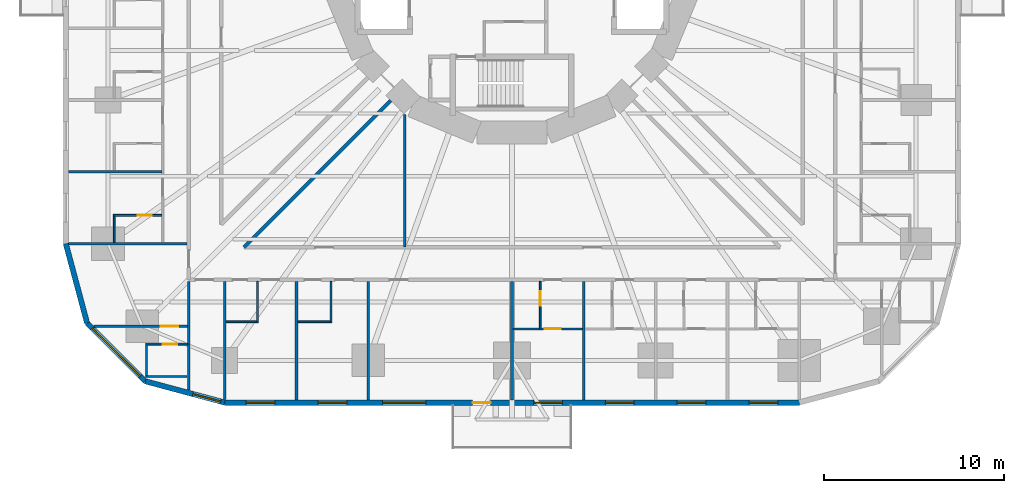
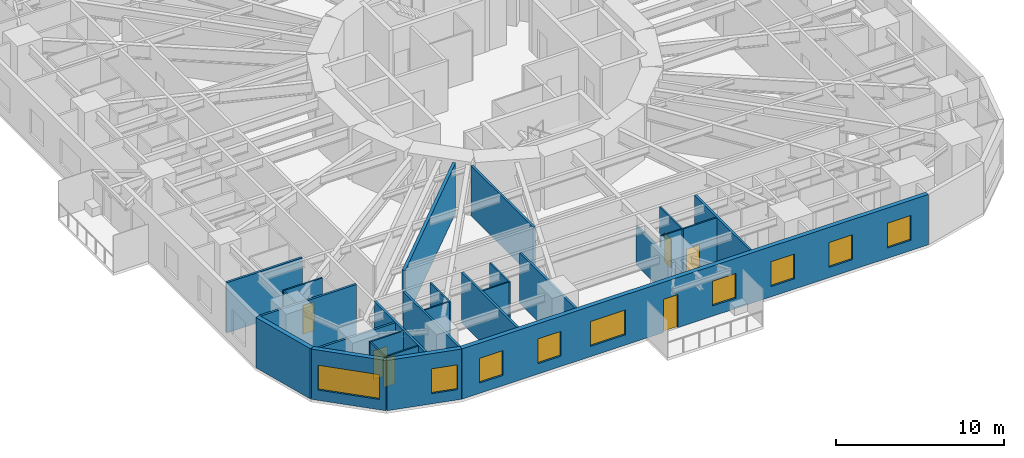
# One storey, part 4 of 14: 27 walls, 9 windows, 6 doors, 15 openings.
"""IFC4 building model written with IfcOpenShell, lengths in metres."""

from ifc_helpers import new_model, si_unit, direction, frame, frame_2d, origin, place, context, subcontext, project, spatial, rectangle, extrude, material, layer, layer_set, type_object, element, fill, save


model = new_model("IFC4")

# Units and contexts
model_context = context("Model", 3, precision=1e-05, world=origin(), true_north=direction((0.0, 1.0)))
body_context = subcontext(model_context, "Body", "Model", "MODEL_VIEW")
ifc_project = project(units=[si_unit("LENGTHUNIT", "METRE"), si_unit("AREAUNIT", "SQUARE_METRE"), si_unit("VOLUMEUNIT", "CUBIC_METRE"), si_unit("PLANEANGLEUNIT", "RADIAN"), si_unit("MASSUNIT", "GRAM", prefix="KILO")], contexts=[model_context])

# Site, building, storey
site_placement = place(None, origin())
site = spatial("IfcSite", under=ifc_project, at=site_placement, CompositionType="ELEMENT")
building_placement = place(site_placement, origin())
building = spatial("IfcBuilding", under=site, at=building_placement, Name="Nakasero Lantern House", CompositionType="ELEMENT")
storey_placement = place(building_placement, frame((0.0, 0.0, 23.699951171875)))
storey = spatial("IfcBuildingStorey", under=building, at=storey_placement, Name="L05", CompositionType="ELEMENT", Elevation=23.699951171875)

# Wall
ifc_material_1 = material(Name="Blockwork", Category="masonry")
ifc_layer_1 = layer(ifc_material_1, 0.199951171875)
ifc_layer_set_1 = layer_set([ifc_layer_1], Name="Corridor wall 200")
wall_type_1 = type_object("IfcWallType", Name="Corridor wall 200", PredefinedType="PARTITIONING", material=ifc_layer_set_1)
wall_1_placement = place(storey_placement, frame((-6.758544921875, -8.03125, 0.0), z_axis=(0.0, 0.0, 1.0), x_axis=(-0.707106781187, -0.707106781187, 0.0)))
element("IfcWall", 1, at=wall_1_placement, inside=storey, type_object=wall_type_1, Name="Corridor wall L05 PS10a", PredefinedType="PARTITIONING", context=body_context, shape_type="SweptSolid", body=[
    extrude(rectangle(XDim=11.55224609375, YDim=0.199951171875, at=frame_2d((5.776123046875, 0.0))), origin(), (0.0, 0.0, 1.0), 3.650146484375),
])

# Wall, opening, door
ifc_material_2 = material(Name="Blockwork", Category="masonry")
ifc_layer_2 = layer(ifc_material_2, 0.10009765625)
ifc_layer_set_2 = layer_set([ifc_layer_2], Name="En-suite wall 100")
wall_type_2 = type_object("IfcWallType", Name="En-suite wall 100", PredefinedType="PARTITIONING", material=ifc_layer_set_2)
wall_2_placement = place(storey_placement, frame((-19.5, -14.425048828125, 0.0), z_axis=(0.0, 0.0, 1.0), x_axis=(-1.0, 0.0, 0.0)))
wall_2 = element("IfcWall", 2, at=wall_2_placement, inside=storey, type_object=wall_type_2, Name="En-suite wall L05 ES2-08", PredefinedType="PARTITIONING", context=body_context, shape_type="SweptSolid", body=[
    extrude(rectangle(XDim=2.699951171875, YDim=0.10009765625, at=frame_2d((1.35009765625, 0.0))), origin(), (0.0, 0.0, 1.0), 3.650146484375),
])
opening_1_placement = place(wall_2_placement, frame((0.550048828125, 0.0, 0.0)))
opening_1 = element("IfcOpeningElement", 3, at=opening_1_placement, cuts=wall_2, Name="Opening D02", PredefinedType="OPENING", context=body_context, shape_type="SweptSolid", body=[
    extrude(rectangle(XDim=0.800048828125, YDim=2.10009765625, at=frame_2d((0.39990234375, 1.050048828125))), frame((0.0, 0.070068359375, 0.0), z_axis=(0.0, -1.0, 0.0), x_axis=(1.0, 0.0, 0.0)), (0.0, 0.0, 1.0), 0.14013671875),
])
ifc_material_3 = material(Name="Timber C24", Category="wood")
door_type_1 = type_object("IfcDoorType", Name="En-suite door 800", OperationType="SINGLE_SWING_RIGHT", PredefinedType="DOOR", material=ifc_material_3)
door_1_placement = place(opening_1_placement, origin())
door_1 = element("IfcDoor", 4, at=door_1_placement, inside=storey, type_object=door_type_1, Name="Door L05 DE2-08", OperationType="SINGLE_SWING_LEFT", OverallHeight=2.10009765625, OverallWidth=0.800048828125, PredefinedType="DOOR", context=body_context, shape_type="SweptSolid", body=[
    extrude(rectangle(XDim=0.800048828125, YDim=2.10009765625, at=frame_2d((0.39990234375, 1.050048828125))), frame((0.0, 0.02490234375, 0.0), z_axis=(0.0, -1.0, 0.0), x_axis=(1.0, 0.0, 0.0)), (0.0, 0.0, 1.0), 0.050048828125),
])
fill(opening_1, door_1)

# Wall
wall_3_placement = place(storey_placement, frame((-22.14990234375, -14.47509765625, 0.0), z_axis=(0.0, 0.0, 1.0), x_axis=(0.0, -1.0, 0.0)))
element("IfcWall", 5, at=wall_3_placement, inside=storey, type_object=wall_type_2, Name="En-suite wall L05 EE2-08", PredefinedType="PARTITIONING", context=body_context, shape_type="SweptSolid", body=[
    extrude(rectangle(XDim=1.449951171875, YDim=0.10009765625, at=frame_2d((0.72509765625, 0.0))), origin(), (0.0, 0.0, 1.0), 3.650146484375),
])

# Wall, opening, door
wall_4_placement = place(storey_placement, frame((-18.06494140625, -21.59619140625, 0.0), z_axis=(0.0, 0.0, 1.0), x_axis=(-1.0, 0.0, 0.0)))
wall_4 = element("IfcWall", 6, at=wall_4_placement, inside=storey, type_object=wall_type_2, Name="En-suite wall L05 ES2-09", PredefinedType="PARTITIONING", context=body_context, shape_type="SweptSolid", body=[
    extrude(rectangle(XDim=2.3349609375, YDim=0.10009765625, at=frame_2d((1.16748046875, 0.0))), origin(), (0.0, 0.0, 1.0), 3.650146484375),
])
opening_2_placement = place(wall_4_placement, frame((0.5849609375, 0.0, 0.0)))
opening_2 = element("IfcOpeningElement", 7, at=opening_2_placement, cuts=wall_4, Name="Opening D02", PredefinedType="OPENING", context=body_context, shape_type="SweptSolid", body=[
    extrude(rectangle(XDim=0.800048828125, YDim=2.10009765625, at=frame_2d((0.39990234375, 1.050048828125))), frame((0.0, 0.070068359375, 0.0), z_axis=(0.0, -1.0, 0.0), x_axis=(1.0, 0.0, 0.0)), (0.0, 0.0, 1.0), 0.14013671875),
])
door_2_placement = place(opening_2_placement, origin())
door_2 = element("IfcDoor", 8, at=door_2_placement, inside=storey, type_object=door_type_1, Name="Door L05 DE2-09", OperationType="SINGLE_SWING_LEFT", OverallHeight=2.10009765625, OverallWidth=0.800048828125, PredefinedType="DOOR", context=body_context, shape_type="SweptSolid", body=[
    extrude(rectangle(XDim=0.800048828125, YDim=2.10009765625, at=frame_2d((0.39990234375, 1.050048828125))), frame((0.0, 0.02490234375, 0.0), z_axis=(0.0, -1.0, 0.0), x_axis=(1.0, 0.0, 0.0)), (0.0, 0.0, 1.0), 0.050048828125),
])
fill(opening_2, door_2)

# Walls
wall_5_placement = place(storey_placement, frame((-20.35009765625, -21.646240234375, 0.0), z_axis=(0.0, 0.0, 1.0), x_axis=(0.0, -1.0, 0.0)))
element("IfcWall", 9, at=wall_5_placement, inside=storey, type_object=wall_type_2, Name="En-suite wall L05 EE2-09", PredefinedType="PARTITIONING", context=body_context, shape_type="SweptSolid", body=[
    extrude(rectangle(XDim=1.699951171875, YDim=0.10009765625, at=frame_2d((0.85009765625, 0.0))), origin(), (0.0, 0.0, 1.0), 3.650146484375),
])
for number, where, z_axis, x_axis, name in (
    (10, (-18.10009765625, -23.396240234375, 0.0), (0.0, 0.0, 1.0), (-1.0, 0.0, 0.0), "En-suite wall L05 EV2-09"),
    (11, (-14.175048828125, -18.10009765625, 0.0), (0.0, 0.0, 1.0), (0.0, -1.0, 0.0), "En-suite wall L05 ES3-01"),
):
    element("IfcWall", number, at=place(storey_placement, frame(where, z_axis=z_axis, x_axis=x_axis)), inside=storey, type_object=wall_type_2, Name=name, PredefinedType="PARTITIONING", context=body_context, shape_type="SweptSolid", body=[
        extrude(rectangle(XDim=2.2998046875, YDim=0.10009765625, at=frame_2d((1.14990234375, 0.0))), origin(), (0.0, 0.0, 1.0), 3.650146484375),
    ])
wall_6_placement = place(storey_placement, frame((-15.925048828125, -20.35009765625, 0.0), z_axis=(0.0, 0.0, 1.0), x_axis=(1.0, 0.0, 0.0)))
element("IfcWall", 12, at=wall_6_placement, inside=storey, type_object=wall_type_2, Name="En-suite wall L05 EE3-01", PredefinedType="PARTITIONING", context=body_context, shape_type="SweptSolid", body=[
    extrude(rectangle(XDim=1.699951171875, YDim=0.10009765625, at=frame_2d((0.85009765625, 0.0))), origin(), (0.0, 0.0, 1.0), 3.650146484375),
])
wall_7_placement = place(storey_placement, frame((-10.074951171875, -18.10009765625, 0.0), z_axis=(0.0, 0.0, 1.0), x_axis=(0.0, -1.0, 0.0)))
element("IfcWall", 13, at=wall_7_placement, inside=storey, type_object=wall_type_2, Name="En-suite wall L05 ES3-02", PredefinedType="PARTITIONING", context=body_context, shape_type="SweptSolid", body=[
    extrude(rectangle(XDim=2.2998046875, YDim=0.10009765625, at=frame_2d((1.14990234375, 0.0))), origin(), (0.0, 0.0, 1.0), 3.650146484375),
])
wall_8_placement = place(storey_placement, frame((-11.925048828125, -20.35009765625, 0.0), z_axis=(0.0, 0.0, 1.0), x_axis=(1.0, 0.0, 0.0)))
element("IfcWall", 14, at=wall_8_placement, inside=storey, type_object=wall_type_2, Name="En-suite wall L05 EE3-02", PredefinedType="PARTITIONING", context=body_context, shape_type="SweptSolid", body=[
    extrude(rectangle(XDim=1.800048828125, YDim=0.10009765625, at=frame_2d((0.89990234375, 0.0))), origin(), (0.0, 0.0, 1.0), 3.650146484375),
])

# Wall, opening, door
wall_9_placement = place(storey_placement, frame((1.574951171875, -18.10009765625, 0.0), z_axis=(0.0, 0.0, 1.0), x_axis=(0.0, -1.0, 0.0)))
wall_9 = element("IfcWall", 15, at=wall_9_placement, inside=storey, type_object=wall_type_2, Name="En-suite wall L05 ES3-05", PredefinedType="PARTITIONING", context=body_context, shape_type="SweptSolid", body=[
    extrude(rectangle(XDim=2.699951171875, YDim=0.10009765625, at=frame_2d((1.35009765625, 0.0))), origin(), (0.0, 0.0, 1.0), 3.650146484375),
])
opening_3_placement = place(wall_9_placement, frame((0.550048828125, 0.0, 0.0)))
opening_3 = element("IfcOpeningElement", 16, at=opening_3_placement, cuts=wall_9, Name="Opening D02", PredefinedType="OPENING", context=body_context, shape_type="SweptSolid", body=[
    extrude(rectangle(XDim=0.800048828125, YDim=2.10009765625, at=frame_2d((0.39990234375, 1.050048828125))), frame((0.0, 0.070068359375, 0.0), z_axis=(0.0, -1.0, 0.0), x_axis=(1.0, 0.0, 0.0)), (0.0, 0.0, 1.0), 0.14013671875),
])
door_3_placement = place(opening_3_placement, origin())
door_3 = element("IfcDoor", 17, at=door_3_placement, inside=storey, type_object=door_type_1, Name="Door L05 DE3-05", OperationType="SINGLE_SWING_LEFT", OverallHeight=2.10009765625, OverallWidth=0.800048828125, PredefinedType="DOOR", context=body_context, shape_type="SweptSolid", body=[
    extrude(rectangle(XDim=0.800048828125, YDim=2.10009765625, at=frame_2d((0.39990234375, 1.050048828125))), frame((0.0, 0.02490234375, 0.0), z_axis=(0.0, -1.0, 0.0), x_axis=(1.0, 0.0, 0.0)), (0.0, 0.0, 1.0), 0.050048828125),
])
fill(opening_3, door_3)

# Wall
wall_10_placement = place(storey_placement, frame((0.074951171875, -20.75, 0.0), z_axis=(0.0, 0.0, 1.0), x_axis=(1.0, 0.0, 0.0)))
element("IfcWall", 18, at=wall_10_placement, inside=storey, type_object=wall_type_2, Name="En-suite wall L05 EE3-05", PredefinedType="PARTITIONING", context=body_context, shape_type="SweptSolid", body=[
    extrude(rectangle(XDim=1.449951171875, YDim=0.10009765625, at=frame_2d((0.72509765625, 0.0))), origin(), (0.0, 0.0, 1.0), 3.650146484375),
])

# Wall, opening, door
wall_11_placement = place(storey_placement, frame((1.625, -20.75, 0.0), z_axis=(0.0, 0.0, 1.0), x_axis=(1.0, 0.0, 0.0)))
wall_11 = element("IfcWall", 19, at=wall_11_placement, inside=storey, type_object=wall_type_2, Name="En-suite wall L05 EL3-05", PredefinedType="PARTITIONING", context=body_context, shape_type="SweptSolid", body=[
    extrude(rectangle(XDim=2.300048828125, YDim=0.10009765625, at=frame_2d((1.14990234375, 0.0))), origin(), (0.0, 0.0, 1.0), 3.650146484375),
])
opening_4_placement = place(wall_11_placement, frame((0.199951171875, 0.0, 0.0)))
opening_4 = element("IfcOpeningElement", 20, at=opening_4_placement, cuts=wall_11, Name="Opening D17", PredefinedType="OPENING", context=body_context, shape_type="SweptSolid", body=[
    extrude(rectangle(XDim=0.89990234375, YDim=2.10009765625, at=frame_2d((0.449951171875, 1.050048828125))), frame((0.0, 0.070068359375, 0.0), z_axis=(0.0, -1.0, 0.0), x_axis=(1.0, 0.0, 0.0)), (0.0, 0.0, 1.0), 0.14013671875),
])
ifc_material_4 = material(Name="Timber C24", Category="wood")
door_type_2 = type_object("IfcDoorType", Name="Bedroom door FD30S 900", OperationType="SINGLE_SWING_LEFT", PredefinedType="DOOR", material=ifc_material_4)
door_4_placement = place(opening_4_placement, origin())
door_4 = element("IfcDoor", 21, at=door_4_placement, inside=storey, type_object=door_type_2, Name="Door L05 DL3-05", OperationType="SINGLE_SWING_LEFT", OverallHeight=2.10009765625, OverallWidth=0.89990234375, PredefinedType="DOOR", context=body_context, shape_type="SweptSolid", body=[
    extrude(rectangle(XDim=0.89990234375, YDim=2.10009765625, at=frame_2d((0.449951171875, 1.050048828125))), frame((0.0, 0.02490234375, 0.0), z_axis=(0.0, -1.0, 0.0), x_axis=(1.0, 0.0, 0.0)), (0.0, 0.0, 1.0), 0.050048828125),
])
fill(opening_4, door_4)

# Wall
ifc_material_5 = material(Name="Aluminium rainscreen on blockwork", Category="masonry")
ifc_layer_3 = layer(ifc_material_5, 0.300048828125)
ifc_layer_set_3 = layer_set([ifc_layer_3], Name="Facade wall 300")
wall_type_3 = type_object("IfcWallType", Name="Facade wall 300", PredefinedType="SOLIDWALL", material=ifc_layer_set_3)
wall_12_placement = place(storey_placement, frame((-24.85009765625, -16.0, 0.0), z_axis=(0.0, 0.0, 1.0), x_axis=(0.258839972501, -0.965920218567, 0.0)))
element("IfcWall", 22, at=wall_12_placement, inside=storey, type_object=wall_type_3, Name="Facade wall L05 FW2C1", PredefinedType="SOLIDWALL", context=body_context, shape_type="SweptSolid", body=[
    extrude(rectangle(XDim=4.5810546875, YDim=0.300048828125, at=frame_2d((2.29052734375, 0.0))), origin(), (0.0, 0.0, 1.0), 3.650146484375),
])

# Wall, opening, window
wall_13_placement = place(storey_placement, frame((-23.664306640625, -20.425048828125, 0.0), z_axis=(0.0, 0.0, 1.0), x_axis=(0.707106781187, -0.707106781187, 0.0)))
wall_13 = element("IfcWall", 23, at=wall_13_placement, inside=storey, type_object=wall_type_3, Name="Facade wall L05 FW2C2", PredefinedType="SOLIDWALL", context=body_context, shape_type="SweptSolid", body=[
    extrude(rectangle(XDim=4.5810546875, YDim=0.300048828125, at=frame_2d((2.29052734375, 0.0))), origin(), (0.0, 0.0, 1.0), 3.650146484375),
])
opening_5_placement = place(wall_13_placement, frame((0.39990234375, 0.0, 0.75)))
opening_5 = element("IfcOpeningElement", 24, at=opening_5_placement, cuts=wall_13, Name="Opening W237", PredefinedType="OPENING", context=body_context, shape_type="SweptSolid", body=[
    extrude(rectangle(XDim=3.781005859375, YDim=1.800048828125, at=frame_2d((1.890625, 0.89990234375))), frame((0.0, 0.169921875, 0.0), z_axis=(0.0, -1.0, 0.0), x_axis=(1.0, 0.0, 0.0)), (0.0, 0.0, 1.0), 0.340087890625),
])
ifc_material_6 = material(Name="Aluminium 6063-T6 and glass", Category="aluminium")
window_type_1 = type_object("IfcWindowType", Name="Corner window 3781x1800", PartitioningType="SINGLE_PANEL", PredefinedType="WINDOW", material=ifc_material_6)
window_1_placement = place(opening_5_placement, origin())
window_1 = element("IfcWindow", 25, at=window_1_placement, inside=storey, type_object=window_type_1, Name="Window L05 WC2", OverallHeight=1.800048828125, OverallWidth=3.781005859375, PartitioningType="SINGLE_PANEL", PredefinedType="WINDOW", context=body_context, shape_type="SweptSolid", body=[
    extrude(rectangle(XDim=3.781005859375, YDim=1.800048828125, at=frame_2d((1.890625, 0.89990234375))), frame((0.0, 0.030029296875, 0.0), z_axis=(0.0, -1.0, 0.0), x_axis=(1.0, 0.0, 0.0)), (0.0, 0.0, 1.0), 0.06005859375),
])
fill(opening_5, window_1)

wall_14_placement = place(storey_placement, frame((-20.425048828125, -23.664306640625, 0.0), z_axis=(0.0, 0.0, 1.0), x_axis=(0.965920218567, -0.258839972501, 0.0)))
wall_14 = element("IfcWall", 26, at=wall_14_placement, inside=storey, type_object=wall_type_3, Name="Facade wall L05 FW2C3", PredefinedType="SOLIDWALL", context=body_context, shape_type="SweptSolid", body=[
    extrude(rectangle(XDim=4.5810546875, YDim=0.300048828125, at=frame_2d((2.29052734375, 0.0))), origin(), (0.0, 0.0, 1.0), 3.650146484375),
])
opening_6_placement = place(wall_14_placement, frame((2.74609375, 0.0, 0.75)))
opening_6 = element("IfcOpeningElement", 27, at=opening_6_placement, cuts=wall_14, Name="Opening W01", PredefinedType="OPENING", context=body_context, shape_type="SweptSolid", body=[
    extrude(rectangle(XDim=1.60009765625, YDim=1.800048828125, at=frame_2d((0.800048828125, 0.89990234375))), frame((0.0, 0.169921875, 0.0), z_axis=(0.0, -1.0, 0.0), x_axis=(1.0, 0.0, 0.0)), (0.0, 0.0, 1.0), 0.340087890625),
])
ifc_material_7 = material(Name="Aluminium 6063-T6 and glass", Category="aluminium")
window_type_2 = type_object("IfcWindowType", Name="Bedroom window 1600x1800", PartitioningType="SINGLE_PANEL", PredefinedType="WINDOW", material=ifc_material_7)
window_2_placement = place(opening_6_placement, origin())
window_2 = element("IfcWindow", 28, at=window_2_placement, inside=storey, type_object=window_type_2, Name="Window L05 WN3-00", OverallHeight=1.800048828125, OverallWidth=1.60009765625, PartitioningType="SINGLE_PANEL", PredefinedType="WINDOW", context=body_context, shape_type="SweptSolid", body=[
    extrude(rectangle(XDim=1.60009765625, YDim=1.800048828125, at=frame_2d((0.800048828125, 0.89990234375))), frame((0.0, 0.030029296875, 0.0), z_axis=(0.0, -1.0, 0.0), x_axis=(1.0, 0.0, 0.0)), (0.0, 0.0, 1.0), 0.06005859375),
])
fill(opening_6, window_2)

# Wall, openings, door, windows
wall_15_placement = place(storey_placement, frame((-16.0, -24.85009765625, 0.0), z_axis=(0.0, 0.0, 1.0), x_axis=(1.0, 0.0, 0.0)))
wall_15 = element("IfcWall", 29, at=wall_15_placement, inside=storey, type_object=wall_type_3, Name="Facade wall L05 FW3S", PredefinedType="SOLIDWALL", context=body_context, shape_type="SweptSolid", body=[
    extrude(rectangle(XDim=32.0, YDim=0.300048828125, at=frame_2d((16.0, 0.0))), origin(), (0.0, 0.0, 1.0), 3.650146484375),
])
opening_7_placement = place(wall_15_placement, frame((1.199951171875, 0.0, 0.75)))
opening_7 = element("IfcOpeningElement", 30, at=opening_7_placement, cuts=wall_15, Name="Opening W01", PredefinedType="OPENING", context=body_context, shape_type="SweptSolid", body=[
    extrude(rectangle(XDim=1.60009765625, YDim=1.800048828125, at=frame_2d((0.800048828125, 0.89990234375))), frame((0.0, 0.169921875, 0.0), z_axis=(0.0, -1.0, 0.0), x_axis=(1.0, 0.0, 0.0)), (0.0, 0.0, 1.0), 0.340087890625),
])
opening_8_placement = place(wall_15_placement, frame((5.199951171875, 0.0, 0.75)))
opening_8 = element("IfcOpeningElement", 31, at=opening_8_placement, cuts=wall_15, Name="Opening W01", PredefinedType="OPENING", context=body_context, shape_type="SweptSolid", body=[
    extrude(rectangle(XDim=1.60009765625, YDim=1.800048828125, at=frame_2d((0.800048828125, 0.89990234375))), frame((0.0, 0.169921875, 0.0), z_axis=(0.0, -1.0, 0.0), x_axis=(1.0, 0.0, 0.0)), (0.0, 0.0, 1.0), 0.340087890625),
])
opening_9_placement = place(wall_15_placement, frame((17.199951171875, 0.0, 0.75)))
opening_9 = element("IfcOpeningElement", 32, at=opening_9_placement, cuts=wall_15, Name="Opening W01", PredefinedType="OPENING", context=body_context, shape_type="SweptSolid", body=[
    extrude(rectangle(XDim=1.60009765625, YDim=1.800048828125, at=frame_2d((0.800048828125, 0.89990234375))), frame((0.0, 0.169921875, 0.0), z_axis=(0.0, -1.0, 0.0), x_axis=(1.0, 0.0, 0.0)), (0.0, 0.0, 1.0), 0.340087890625),
])
opening_10_placement = place(wall_15_placement, frame((21.199951171875, 0.0, 0.75)))
opening_10 = element("IfcOpeningElement", 33, at=opening_10_placement, cuts=wall_15, Name="Opening W01", PredefinedType="OPENING", context=body_context, shape_type="SweptSolid", body=[
    extrude(rectangle(XDim=1.60009765625, YDim=1.800048828125, at=frame_2d((0.800048828125, 0.89990234375))), frame((0.0, 0.169921875, 0.0), z_axis=(0.0, -1.0, 0.0), x_axis=(1.0, 0.0, 0.0)), (0.0, 0.0, 1.0), 0.340087890625),
])
opening_11_placement = place(wall_15_placement, frame((25.199951171875, 0.0, 0.75)))
opening_11 = element("IfcOpeningElement", 34, at=opening_11_placement, cuts=wall_15, Name="Opening W01", PredefinedType="OPENING", context=body_context, shape_type="SweptSolid", body=[
    extrude(rectangle(XDim=1.60009765625, YDim=1.800048828125, at=frame_2d((0.800048828125, 0.89990234375))), frame((0.0, 0.169921875, 0.0), z_axis=(0.0, -1.0, 0.0), x_axis=(1.0, 0.0, 0.0)), (0.0, 0.0, 1.0), 0.340087890625),
])
opening_12_placement = place(wall_15_placement, frame((29.199951171875, 0.0, 0.75)))
opening_12 = element("IfcOpeningElement", 35, at=opening_12_placement, cuts=wall_15, Name="Opening W01", PredefinedType="OPENING", context=body_context, shape_type="SweptSolid", body=[
    extrude(rectangle(XDim=1.60009765625, YDim=1.800048828125, at=frame_2d((0.800048828125, 0.89990234375))), frame((0.0, 0.169921875, 0.0), z_axis=(0.0, -1.0, 0.0), x_axis=(1.0, 0.0, 0.0)), (0.0, 0.0, 1.0), 0.340087890625),
])
opening_13_placement = place(wall_15_placement, frame((8.800048828125, 0.0, 0.75)))
opening_13 = element("IfcOpeningElement", 36, at=opening_13_placement, cuts=wall_15, Name="Opening W03", PredefinedType="OPENING", context=body_context, shape_type="SweptSolid", body=[
    extrude(rectangle(XDim=2.39990234375, YDim=1.800048828125, at=frame_2d((1.199951171875, 0.89990234375))), frame((0.0, 0.169921875, 0.0), z_axis=(0.0, -1.0, 0.0), x_axis=(1.0, 0.0, 0.0)), (0.0, 0.0, 1.0), 0.340087890625),
])
opening_14_placement = place(wall_15_placement, frame((13.8125, 0.0, 0.0)))
opening_14 = element("IfcOpeningElement", 37, at=opening_14_placement, cuts=wall_15, Name="Opening D04", PredefinedType="OPENING", context=body_context, shape_type="SweptSolid", body=[
    extrude(rectangle(XDim=1.0, YDim=2.39990234375, at=frame_2d((0.5, 1.199951171875))), frame((0.0, 0.169921875, 0.0), z_axis=(0.0, -1.0, 0.0), x_axis=(1.0, 0.0, 0.0)), (0.0, 0.0, 1.0), 0.340087890625),
])
ifc_material_8 = material(Name="Aluminium 6063-T6 and glass", Category="aluminium")
door_type_3 = type_object("IfcDoorType", Name="Balcony door 1000x2400", OperationType="SINGLE_SWING_RIGHT", PredefinedType="DOOR", material=ifc_material_8)
door_5_placement = place(opening_14_placement, origin())
door_5 = element("IfcDoor", 38, at=door_5_placement, inside=storey, type_object=door_type_3, Name="Balcony door L05 DB3", OperationType="SINGLE_SWING_RIGHT", OverallHeight=2.39990234375, OverallWidth=1.0, PredefinedType="DOOR", context=body_context, shape_type="SweptSolid", body=[
    extrude(rectangle(XDim=1.0, YDim=2.39990234375, at=frame_2d((0.5, 1.199951171875))), frame((0.0, 0.02490234375, 0.0), z_axis=(0.0, -1.0, 0.0), x_axis=(1.0, 0.0, 0.0)), (0.0, 0.0, 1.0), 0.050048828125),
])
fill(opening_14, door_5)
window_3_placement = place(opening_7_placement, origin())
window_3 = element("IfcWindow", 39, at=window_3_placement, inside=storey, type_object=window_type_2, Name="Window L05 WN3-01", OverallHeight=1.800048828125, OverallWidth=1.60009765625, PartitioningType="SINGLE_PANEL", PredefinedType="WINDOW", context=body_context, shape_type="SweptSolid", body=[
    extrude(rectangle(XDim=1.60009765625, YDim=1.800048828125, at=frame_2d((0.800048828125, 0.89990234375))), frame((0.0, 0.030029296875, 0.0), z_axis=(0.0, -1.0, 0.0), x_axis=(1.0, 0.0, 0.0)), (0.0, 0.0, 1.0), 0.06005859375),
])
fill(opening_7, window_3)
window_4_placement = place(opening_8_placement, origin())
window_4 = element("IfcWindow", 40, at=window_4_placement, inside=storey, type_object=window_type_2, Name="Window L05 WN3-02", OverallHeight=1.800048828125, OverallWidth=1.60009765625, PartitioningType="SINGLE_PANEL", PredefinedType="WINDOW", context=body_context, shape_type="SweptSolid", body=[
    extrude(rectangle(XDim=1.60009765625, YDim=1.800048828125, at=frame_2d((0.800048828125, 0.89990234375))), frame((0.0, 0.030029296875, 0.0), z_axis=(0.0, -1.0, 0.0), x_axis=(1.0, 0.0, 0.0)), (0.0, 0.0, 1.0), 0.06005859375),
])
fill(opening_8, window_4)
window_5_placement = place(opening_9_placement, origin())
window_5 = element("IfcWindow", 41, at=window_5_placement, inside=storey, type_object=window_type_2, Name="Window L05 WN3-05", OverallHeight=1.800048828125, OverallWidth=1.60009765625, PartitioningType="SINGLE_PANEL", PredefinedType="WINDOW", context=body_context, shape_type="SweptSolid", body=[
    extrude(rectangle(XDim=1.60009765625, YDim=1.800048828125, at=frame_2d((0.800048828125, 0.89990234375))), frame((0.0, 0.030029296875, 0.0), z_axis=(0.0, -1.0, 0.0), x_axis=(1.0, 0.0, 0.0)), (0.0, 0.0, 1.0), 0.06005859375),
])
fill(opening_9, window_5)
window_6_placement = place(opening_10_placement, origin())
window_6 = element("IfcWindow", 42, at=window_6_placement, inside=storey, type_object=window_type_2, Name="Window L05 WN3-06", OverallHeight=1.800048828125, OverallWidth=1.60009765625, PartitioningType="SINGLE_PANEL", PredefinedType="WINDOW", context=body_context, shape_type="SweptSolid", body=[
    extrude(rectangle(XDim=1.60009765625, YDim=1.800048828125, at=frame_2d((0.800048828125, 0.89990234375))), frame((0.0, 0.030029296875, 0.0), z_axis=(0.0, -1.0, 0.0), x_axis=(1.0, 0.0, 0.0)), (0.0, 0.0, 1.0), 0.06005859375),
])
fill(opening_10, window_6)
window_7_placement = place(opening_11_placement, origin())
window_7 = element("IfcWindow", 43, at=window_7_placement, inside=storey, type_object=window_type_2, Name="Window L05 WN3-07", OverallHeight=1.800048828125, OverallWidth=1.60009765625, PartitioningType="SINGLE_PANEL", PredefinedType="WINDOW", context=body_context, shape_type="SweptSolid", body=[
    extrude(rectangle(XDim=1.60009765625, YDim=1.800048828125, at=frame_2d((0.800048828125, 0.89990234375))), frame((0.0, 0.030029296875, 0.0), z_axis=(0.0, -1.0, 0.0), x_axis=(1.0, 0.0, 0.0)), (0.0, 0.0, 1.0), 0.06005859375),
])
fill(opening_11, window_7)
window_8_placement = place(opening_12_placement, origin())
window_8 = element("IfcWindow", 44, at=window_8_placement, inside=storey, type_object=window_type_2, Name="Window L05 WN3-08", OverallHeight=1.800048828125, OverallWidth=1.60009765625, PartitioningType="SINGLE_PANEL", PredefinedType="WINDOW", context=body_context, shape_type="SweptSolid", body=[
    extrude(rectangle(XDim=1.60009765625, YDim=1.800048828125, at=frame_2d((0.800048828125, 0.89990234375))), frame((0.0, 0.030029296875, 0.0), z_axis=(0.0, -1.0, 0.0), x_axis=(1.0, 0.0, 0.0)), (0.0, 0.0, 1.0), 0.06005859375),
])
fill(opening_12, window_8)
ifc_material_9 = material(Name="Aluminium 6063-T6 and glass", Category="aluminium")
window_type_3 = type_object("IfcWindowType", Name="Lounge window 2400x1800", PartitioningType="SINGLE_PANEL", PredefinedType="WINDOW", material=ifc_material_9)
window_9_placement = place(opening_13_placement, origin())
window_9 = element("IfcWindow", 45, at=window_9_placement, inside=storey, type_object=window_type_3, Name="Window L05 WK3", OverallHeight=1.800048828125, OverallWidth=2.39990234375, PartitioningType="SINGLE_PANEL", PredefinedType="WINDOW", context=body_context, shape_type="SweptSolid", body=[
    extrude(rectangle(XDim=2.39990234375, YDim=1.800048828125, at=frame_2d((1.199951171875, 0.89990234375))), frame((0.0, 0.030029296875, 0.0), z_axis=(0.0, -1.0, 0.0), x_axis=(1.0, 0.0, 0.0)), (0.0, 0.0, 1.0), 0.06005859375),
])
fill(opening_13, window_9)

# Walls
ifc_material_10 = material(Name="Blockwork", Category="masonry")
ifc_layer_4 = layer(ifc_material_10, 0.14990234375)
ifc_layer_set_4 = layer_set([ifc_layer_4], Name="Party wall 150")
wall_type_4 = type_object("IfcWallType", Name="Party wall 150", PredefinedType="PARTITIONING", material=ifc_layer_set_4)
wall_16_placement = place(storey_placement, frame((-19.5, -12.0, 0.0), z_axis=(0.0, 0.0, 1.0), x_axis=(-1.0, 0.0, 0.0)))
element("IfcWall", 46, at=wall_16_placement, inside=storey, type_object=wall_type_4, Name="Party wall L05 PW2-08", PredefinedType="PARTITIONING", context=body_context, shape_type="SweptSolid", body=[
    extrude(rectangle(XDim=5.199951171875, YDim=0.14990234375, at=frame_2d((2.60009765625, 0.0))), origin(), (0.0, 0.0, 1.0), 3.650146484375),
])
wall_17_placement = place(storey_placement, frame((-18.10009765625, -16.0, 0.0), z_axis=(0.0, 0.0, 1.0), x_axis=(-1.0, 0.0, 0.0)))
element("IfcWall", 47, at=wall_17_placement, inside=storey, type_object=wall_type_4, Name="Party wall L05 PW2-09", PredefinedType="PARTITIONING", context=body_context, shape_type="SweptSolid", body=[
    extrude(rectangle(XDim=6.58935546875, YDim=0.14990234375, at=frame_2d((3.294677734375, 0.0))), origin(), (0.0, 0.0, 1.0), 3.650146484375),
])

# Wall, opening, door
wall_18_placement = place(storey_placement, frame((-18.06494140625, -20.59619140625, 0.0), z_axis=(0.0, 0.0, 1.0), x_axis=(-1.0, 0.0, 0.0)))
wall_18 = element("IfcWall", 48, at=wall_18_placement, inside=storey, type_object=wall_type_4, Name="Party wall L05 PC2", PredefinedType="PARTITIONING", context=body_context, shape_type="SweptSolid", body=[
    extrude(rectangle(XDim=5.208740234375, YDim=0.14990234375, at=frame_2d((2.6044921875, 0.0))), origin(), (0.0, 0.0, 1.0), 3.650146484375),
])
opening_15_placement = place(wall_18_placement, frame((0.534912109375, 0.0, 0.0)))
opening_15 = element("IfcOpeningElement", 49, at=opening_15_placement, cuts=wall_18, Name="Opening D01", PredefinedType="OPENING", context=body_context, shape_type="SweptSolid", body=[
    extrude(rectangle(XDim=0.949951171875, YDim=2.10009765625, at=frame_2d((0.47509765625, 1.050048828125))), frame((0.0, 0.094970703125, 0.0), z_axis=(0.0, -1.0, 0.0), x_axis=(1.0, 0.0, 0.0)), (0.0, 0.0, 1.0), 0.18994140625),
])
ifc_material_11 = material(Name="Timber C24", Category="wood")
door_type_4 = type_object("IfcDoorType", Name="Bedroom door FD30S 950", OperationType="SINGLE_SWING_LEFT", PredefinedType="DOOR", material=ifc_material_11)
door_6_placement = place(opening_15_placement, origin())
door_6 = element("IfcDoor", 50, at=door_6_placement, inside=storey, type_object=door_type_4, Name="Door L05 DC2", OperationType="SINGLE_SWING_LEFT", OverallHeight=2.10009765625, OverallWidth=0.949951171875, PredefinedType="DOOR", context=body_context, shape_type="SweptSolid", body=[
    extrude(rectangle(XDim=0.949951171875, YDim=2.10009765625, at=frame_2d((0.47509765625, 1.050048828125))), frame((0.0, 0.02490234375, 0.0), z_axis=(0.0, -1.0, 0.0), x_axis=(1.0, 0.0, 0.0)), (0.0, 0.0, 1.0), 0.050048828125),
])
fill(opening_15, door_6)

# Walls
wall_19_placement = place(storey_placement, frame((-18.0, -18.10009765625, 0.0), z_axis=(0.0, 0.0, 1.0), x_axis=(0.0, -1.0, 0.0)))
element("IfcWall", 51, at=wall_19_placement, inside=storey, type_object=wall_type_4, Name="Party wall L05 PW3-00", PredefinedType="PARTITIONING", context=body_context, shape_type="SweptSolid", body=[
    extrude(rectangle(XDim=6.053466796875, YDim=0.14990234375, at=frame_2d((3.02685546875, 0.0))), origin(), (0.0, 0.0, 1.0), 3.650146484375),
])
wall_20_placement = place(storey_placement, frame((-16.0, -18.10009765625, 0.0), z_axis=(0.0, 0.0, 1.0), x_axis=(0.0, -1.0, 0.0)))
element("IfcWall", 52, at=wall_20_placement, inside=storey, type_object=wall_type_4, Name="Party wall L05 PW3-01", PredefinedType="PARTITIONING", context=body_context, shape_type="SweptSolid", body=[
    extrude(rectangle(XDim=6.58935546875, YDim=0.14990234375, at=frame_2d((3.294677734375, 0.0))), origin(), (0.0, 0.0, 1.0), 3.650146484375),
])
for number, where, z_axis, x_axis, name in (
    (53, (-12.0, -18.10009765625, 0.0), (0.0, 0.0, 1.0), (0.0, -1.0, 0.0), "Party wall L05 PW3-02"),
    (54, (-8.0, -18.10009765625, 0.0), (0.0, 0.0, 1.0), (0.0, -1.0, 0.0), "Party wall L05 PW3-03"),
):
    element("IfcWall", number, at=place(storey_placement, frame(where, z_axis=z_axis, x_axis=x_axis)), inside=storey, type_object=wall_type_4, Name=name, PredefinedType="PARTITIONING", context=body_context, shape_type="SweptSolid", body=[
        extrude(rectangle(XDim=6.599853515625, YDim=0.14990234375, at=frame_2d((3.2998046875, 0.0))), origin(), (0.0, 0.0, 1.0), 3.650146484375),
    ])
wall_21_placement = place(storey_placement, frame((0.0, -18.10009765625, 0.0), z_axis=(0.0, 0.0, 1.0), x_axis=(0.0, -1.0, 0.0)))
element("IfcWall", 55, at=wall_21_placement, inside=storey, type_object=wall_type_4, Name="Party wall L05 PW3-05", PredefinedType="PARTITIONING", context=body_context, shape_type="SweptSolid", body=[
    extrude(rectangle(XDim=6.599853515625, YDim=0.14990234375, at=frame_2d((3.2998046875, 0.0))), origin(), (0.0, 0.0, 1.0), 2.809326171875),
])
wall_22_placement = place(storey_placement, frame((4.0, -18.10009765625, 0.0), z_axis=(0.0, 0.0, 1.0), x_axis=(0.0, -1.0, 0.0)))
element("IfcWall", 56, at=wall_22_placement, inside=storey, type_object=wall_type_4, Name="Party wall L05 PW3-06", PredefinedType="PARTITIONING", context=body_context, shape_type="SweptSolid", body=[
    extrude(rectangle(XDim=6.599853515625, YDim=0.14990234375, at=frame_2d((3.2998046875, 0.0))), origin(), (0.0, 0.0, 1.0), 3.650146484375),
])
wall_23_placement = place(storey_placement, frame((-5.970947265625, -8.81884765625, 0.0), z_axis=(0.0, 0.0, 1.0), x_axis=(0.0, -1.0, 0.0)))
element("IfcWall", 57, at=wall_23_placement, inside=storey, type_object=wall_type_4, Name="Party wall L05 IS3", PredefinedType="PARTITIONING", context=body_context, shape_type="SweptSolid", body=[
    extrude(rectangle(XDim=7.381103515625, YDim=0.14990234375, at=frame_2d((3.6904296875, 0.0))), origin(), (0.0, 0.0, 1.0), 3.650146484375),
])

save(model, "model.ifc")
